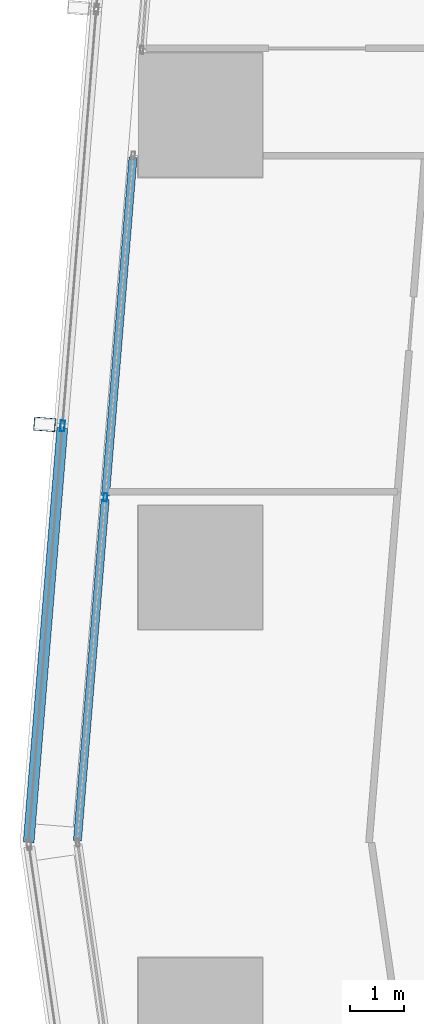
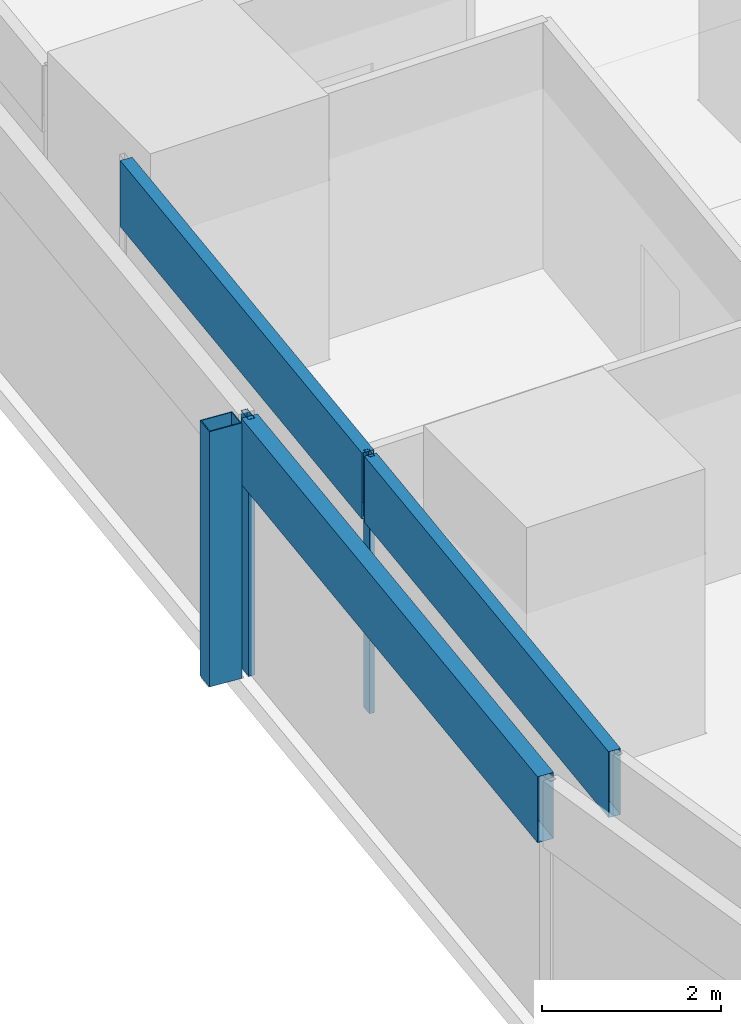
# One storey, part 6 of 32: 6 members, 2 elements without a shape of their own.
"""IFC4 building model written with IfcOpenShell, lengths in metres."""

from ifc_helpers import new_model, si_unit, direction, frame, origin, origin_2d, place, context, subcontext, project, spatial, hollow_rectangle, extrude, material, material_profile, profile_set, type_object, element, aggregate, save


model = new_model("IFC4")

# Units and contexts
model_context = context("Model", 3, precision=1e-05, world=origin(), true_north=direction((0.0, 1.0)))
body_context = subcontext(model_context, "Body", "Model", "MODEL_VIEW")
ifc_project = project(units=[si_unit("LENGTHUNIT", "METRE"), si_unit("AREAUNIT", "SQUARE_METRE"), si_unit("VOLUMEUNIT", "CUBIC_METRE"), si_unit("PLANEANGLEUNIT", "RADIAN"), si_unit("MASSUNIT", "GRAM", prefix="KILO")], contexts=[model_context])

# Site, building, storey
site_placement = place(None, origin())
site = spatial("IfcSite", under=ifc_project, at=site_placement, CompositionType="ELEMENT")
building_placement = place(site_placement, origin())
building = spatial("IfcBuilding", under=site, at=building_placement, Name="Rekha Terrace Tower", CompositionType="ELEMENT")
storey_placement = place(building_placement, frame((0.0, 0.0, 250.10009765625)))
storey = spatial("IfcBuildingStorey", under=building, at=storey_placement, Name="L63", CompositionType="ELEMENT", Elevation=250.10009765625)

# Curtain wall, member
ifc_material_1 = material(Name="Aluminium framing", Category="aluminium")
curtain_wall_type_1 = type_object("IfcCurtainWallType", Name="CW2 double skin outer glazing", PredefinedType="USERDEFINED", material=ifc_material_1)
curtain_wall_1_placement = place(storey_placement, origin())
curtain_wall_1 = element("IfcCurtainWall", 1, at=curtain_wall_1_placement, inside=storey, type_object=curtain_wall_type_1, Name="CW2 double skin outer glazing", ObjectType="DOUBLE SKIN OUTER GLAZING", PredefinedType="USERDEFINED")
ifc_material_2 = material(Name="Steel S355 with fluorocarbon finish", Category="steel")
ifc_material_profile_1 = material_profile(ifc_material_2, hollow_rectangle(XDim=0.25, YDim=0.39990234375, WallThickness=0.012451171875, at=origin_2d()), Name="RHS400x250x12.5")
ifc_profile_set_1 = profile_set([ifc_material_profile_1], Name="Steel S355 with fluorocarbon finish")
member_type_1 = type_object("IfcMemberType", Name="BL1 facade blade RHS 400 x 250", PredefinedType="USERDEFINED", material=ifc_profile_set_1)
member_1_placement = place(storey_placement, frame((5.506103515625, 36.257568359375, 0.02001953125), z_axis=(0.0, 0.0, 1.0), x_axis=(-0.081068747348, -0.996708512156, 0.0)))
member_1 = element("IfcMember", 2, at=member_1_placement, type_object=member_type_1, Name="Facade blade", ObjectType="FACADE BLADE", PredefinedType="USERDEFINED", context=body_context, shape_type="SweptSolid", body=[
    extrude(hollow_rectangle(XDim=0.25, YDim=0.39990234375, WallThickness=0.012451171875, at=origin_2d()), origin(), (0.0, 0.0, 1.0), 3.47998046875),
])

# Curtain wall, members
curtain_wall_type_2 = type_object("IfcCurtainWallType", Name="CW1 double skin inner glazing", PredefinedType="USERDEFINED", material=ifc_material_1)
curtain_wall_2_placement = place(storey_placement, origin())
curtain_wall_2 = element("IfcCurtainWall", 3, at=curtain_wall_2_placement, inside=storey, type_object=curtain_wall_type_2, Name="CW1 double skin inner glazing", ObjectType="DOUBLE SKIN INNER GLAZING", PredefinedType="USERDEFINED")
ifc_material_3 = material(Name="Aluminium mullion section", Category="aluminium")
ifc_material_profile_2 = material_profile(ifc_material_3, hollow_rectangle(XDim=0.06494140625, YDim=0.14990234375, WallThickness=0.00390625, at=origin_2d()), Name="AL RHS 65x150")
ifc_profile_set_2 = profile_set([ifc_material_profile_2], Name="Aluminium mullion section")
member_type_2 = type_object("IfcMemberType", Name="CW1 mullion RHS 65 x 150", PredefinedType="MULLION", material=ifc_profile_set_2)
member_2_placement = place(storey_placement, frame((6.635009765625, 34.901123046875, 0.0), z_axis=(0.0, 0.0, 1.0), x_axis=(0.996708580523, -0.081067906798, 0.0)))
member_2 = element("IfcMember", 4, at=member_2_placement, type_object=member_type_2, Name="CW1 mullion 2", PredefinedType="MULLION", context=body_context, shape_type="SweptSolid", body=[
    extrude(hollow_rectangle(XDim=0.06494140625, YDim=0.14990234375, WallThickness=0.00390625, at=origin_2d()), origin(), (0.0, 0.0, 1.0), 3.5),
])
ifc_material_4 = material(Name="Insulated aluminium spandrel box", Category="aluminium")
ifc_material_profile_3 = material_profile(ifc_material_4, hollow_rectangle(XDim=0.14990234375, YDim=0.89990234375, WallThickness=0.0029296875, at=origin_2d()), Name="AL SPANDREL BOX 150x900")
ifc_profile_set_3 = profile_set([ifc_material_profile_3], Name="Insulated aluminium spandrel box")
member_type_3 = type_object("IfcMemberType", Name="CW1 spandrel transom 150 x 900", PredefinedType="USERDEFINED", material=ifc_profile_set_3)
member_3_placement = place(storey_placement, frame((7.1484375, 41.214111328125, 3.0498046875), z_axis=(-0.081054099113, -0.996709703483, 0.0), x_axis=(0.996709703483, -0.081054099113, 0.0)))
member_3 = element("IfcMember", 5, at=member_3_placement, type_object=member_type_3, Name="CW1 spandrel transom 1", ObjectType="TRANSOM", PredefinedType="USERDEFINED", context=body_context, shape_type="SweptSolid", body=[
    extrude(hollow_rectangle(XDim=0.14990234375, YDim=0.89990234375, WallThickness=0.0029296875, at=origin_2d()), origin(), (0.0, 0.0, 1.0), 6.30126953125),
])
member_4_placement = place(storey_placement, frame((6.63232421875, 34.86865234375, 3.0498046875), z_axis=(-0.081068135122, -0.996708561952, 0.0), x_axis=(0.996708561952, -0.081068135122, 0.0)))
member_4 = element("IfcMember", 6, at=member_4_placement, type_object=member_type_3, Name="CW1 spandrel transom 2", ObjectType="TRANSOM", PredefinedType="USERDEFINED", context=body_context, shape_type="SweptSolid", body=[
    extrude(hollow_rectangle(XDim=0.14990234375, YDim=0.89990234375, WallThickness=0.0029296875, at=origin_2d()), origin(), (0.0, 0.0, 1.0), 6.366455078125),
])
aggregate(curtain_wall_2, [member_2, member_3, member_4])

# Member
ifc_material_profile_4 = material_profile(ifc_material_3, hollow_rectangle(XDim=0.080078125, YDim=0.199951171875, WallThickness=0.00390625, at=origin_2d()), Name="AL RHS 80x200")
ifc_profile_set_4 = profile_set([ifc_material_profile_4], Name="Aluminium mullion section")
member_type_4 = type_object("IfcMemberType", Name="CW2 mullion RHS 80 x 200", PredefinedType="MULLION", material=ifc_profile_set_4)
member_5_placement = place(storey_placement, frame((5.840087890625, 36.23046875, 0.0), z_axis=(0.0, 0.0, 1.0), x_axis=(0.996708580521, -0.081067906816, 0.0)))
member_5 = element("IfcMember", 7, at=member_5_placement, type_object=member_type_4, Name="CW2 mullion 3", PredefinedType="MULLION", context=body_context, shape_type="SweptSolid", body=[
    extrude(hollow_rectangle(XDim=0.080078125, YDim=0.199951171875, WallThickness=0.00390625, at=origin_2d()), origin(), (0.0, 0.0, 1.0), 3.5),
])

ifc_material_profile_5 = material_profile(ifc_material_4, hollow_rectangle(XDim=0.199951171875, YDim=0.89990234375, WallThickness=0.0029296875, at=origin_2d()), Name="AL SPANDREL BOX 200x900")
ifc_profile_set_5 = profile_set([ifc_material_profile_5], Name="Insulated aluminium spandrel box")
member_type_5 = type_object("IfcMemberType", Name="CW2 spandrel transom 200 x 900", PredefinedType="USERDEFINED", material=ifc_profile_set_5)
member_6_placement = place(storey_placement, frame((5.8369140625, 36.190673828125, 3.0498046875), z_axis=(-0.08107481866, -0.996708018318, 0.0), x_axis=(0.996708018318, -0.08107481866, 0.0)))
member_6 = element("IfcMember", 8, at=member_6_placement, type_object=member_type_5, Name="CW2 spandrel transom 3", ObjectType="TRANSOM", PredefinedType="USERDEFINED", context=body_context, shape_type="SweptSolid", body=[
    extrude(hollow_rectangle(XDim=0.199951171875, YDim=0.89990234375, WallThickness=0.0029296875, at=origin_2d()), origin(), (0.0, 0.0, 1.0), 7.720947265625),
])

aggregate(curtain_wall_1, [member_5, member_6, member_1])

save(model, "model.ifc")
